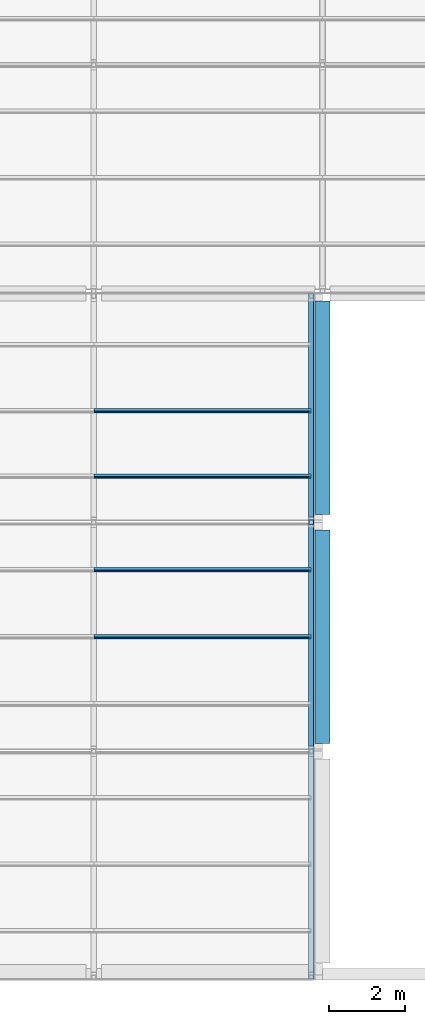
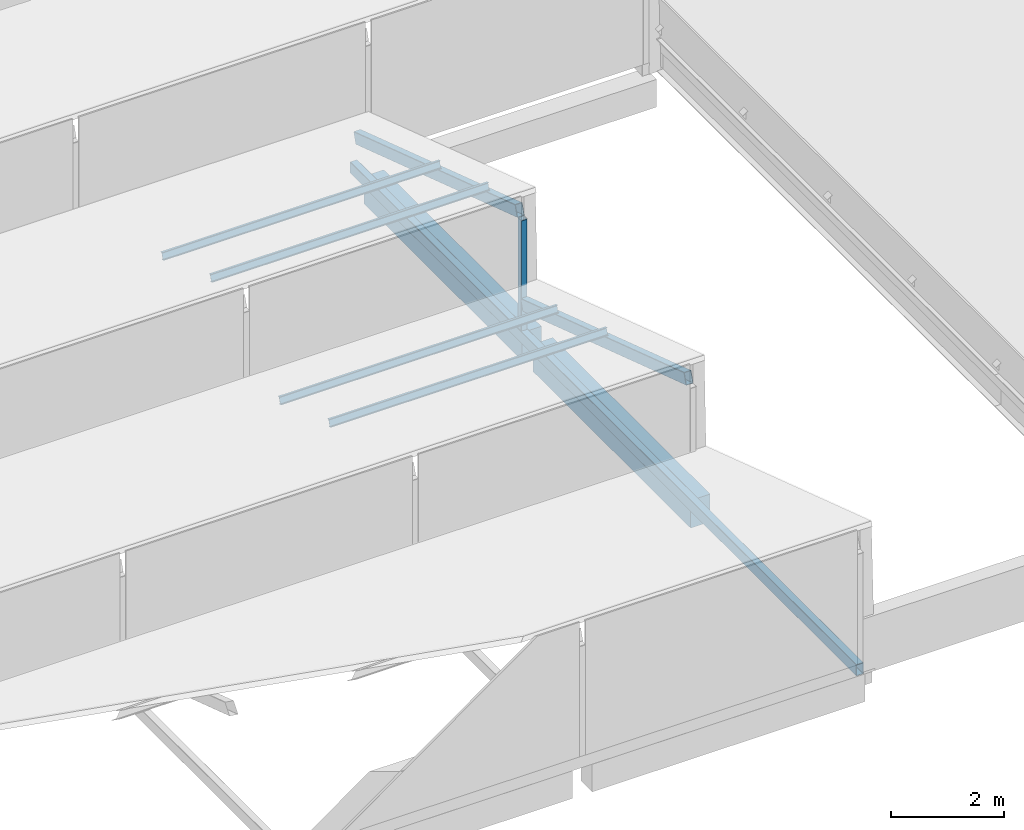
# One storey, part 9 of 118: 8 members, 2 beams.
"""IFC4 building model written with IfcOpenShell, lengths in metres."""

from ifc_helpers import new_model, si_unit, direction, frame, origin, origin_2d, place, context, subcontext, project, spatial, rectangle, hollow_rectangle, i_section, extrude, material, material_profile, profile_set, type_object, element, save


model = new_model("IFC4")

# Units and contexts
model_context = context("Model", 3, precision=1e-05, world=origin(), true_north=direction((0.0, 1.0)))
body_context = subcontext(model_context, "Body", "Model", "MODEL_VIEW")
ifc_project = project(units=[si_unit("LENGTHUNIT", "METRE"), si_unit("AREAUNIT", "SQUARE_METRE"), si_unit("VOLUMEUNIT", "CUBIC_METRE"), si_unit("PLANEANGLEUNIT", "RADIAN"), si_unit("MASSUNIT", "GRAM", prefix="KILO")], contexts=[model_context])

# Site, building, storey
site_placement = place(None, origin())
site = spatial("IfcSite", under=ifc_project, at=site_placement, CompositionType="ELEMENT")
building_placement = place(site_placement, origin())
building = spatial("IfcBuilding", under=site, at=building_placement, Name="Saffron Lane Theatres", CompositionType="ELEMENT")
storey_placement = place(building_placement, frame((0.0, 0.0, 16.5)))
storey = spatial("IfcBuildingStorey", under=building, at=storey_placement, Name="L03", CompositionType="ELEMENT", Elevation=16.5)

# Beams
ifc_material_1 = material(Name="Concrete N40 (40 MPa)", Category="concrete")
ifc_material_profile_1 = material_profile(ifc_material_1, rectangle(XDim=0.39990234375, YDim=0.60009765625, at=origin_2d()))
ifc_profile_set_1 = profile_set([ifc_material_profile_1], Name="Concrete N40 (40 MPa)")
beam_type = type_object("IfcBeamType", Name="RC-BEAM 400x600", PredefinedType="BEAM", material=ifc_profile_set_1)
for number, where, z_axis, x_axis, name in (
    (1, (30.0, 6.199951171875, -0.300048828125), (0.0, 1.0, 0.0), (-1.0, 0.0, 0.0), "beam-eaves-y300-362"),
    (2, (30.0, 12.199951171875, -0.300048828125), (0.0, 1.0, 0.0), (-1.0, 0.0, 0.0), "beam-eaves-y300-422"),
):
    element("IfcBeam", number, at=place(storey_placement, frame(where, z_axis=z_axis, x_axis=x_axis)), inside=storey, type_object=beam_type, Name=name, PredefinedType="BEAM", context=body_context, shape_type="SweptSolid", body=[
        extrude(rectangle(XDim=0.39990234375, YDim=0.60009765625, at=origin_2d()), origin(), (0.0, 0.0, 1.0), 5.60009765625),
    ])

# Members
ifc_material_2 = material(Name="Steel Grade 350", Category="steel")
ifc_material_profile_2 = material_profile(ifc_material_2, hollow_rectangle(XDim=0.125, YDim=0.125, WallThickness=0.006103515625, InnerFilletRadius=0.0029296875, OuterFilletRadius=0.009033203125, at=origin_2d()))
ifc_profile_set_2 = profile_set([ifc_material_profile_2], Name="Steel Grade 350")
member_type_1 = type_object("IfcMemberType", Name="ST-STUDIO POST 125x125x6 SHS", PredefinedType="POST", material=ifc_profile_set_2)
member_1_placement = place(storey_placement, frame((29.699951171875, 12.0, 0.25), z_axis=(0.0, 0.0, 1.0), x_axis=(1.0, 0.0, 0.0)))
element("IfcMember", 3, at=member_1_placement, inside=storey, type_object=member_type_1, Name="GBP38", PredefinedType="POST", context=body_context, shape_type="SweptSolid", body=[
    extrude(hollow_rectangle(XDim=0.125, YDim=0.125, WallThickness=0.006103515625, InnerFilletRadius=0.0029296875, OuterFilletRadius=0.009033203125, at=origin_2d()), origin(), (0.0, 0.0, 1.0), 2.388671875),
])
ifc_material_3 = material(Name="Steel Grade 350", Category="steel")
ifc_material_profile_3 = material_profile(ifc_material_3, i_section(OverallWidth=0.074951171875, OverallDepth=0.155029296875, WebThickness=0.006103515625, FlangeThickness=0.009521484375, FilletRadius=0.008056640625, at=origin_2d()))
ifc_profile_set_3 = profile_set([ifc_material_profile_3], Name="Steel Grade 350")
member_type_2 = type_object("IfcMemberType", Name="ST-STUDIO PURLIN 150UB18.0", PredefinedType="PURLIN", material=ifc_profile_set_3)
for number, where, z_axis, x_axis, name in (
    (4, (24.0, 9.0, 2.01416015625), (1.0, 0.0, 0.0), (0.0, 0.949628648787, -0.313377455162), "GBU60"),
    (5, (24.0, 10.762451171875, 1.4326171875), (1.0, 0.0, 0.0), (0.0, 0.949628648787, -0.313377455162), "GBU64"),
    (6, (24.0, 13.2099609375, 2.60498046875), (1.0, 0.0, 0.0), (0.0, 0.949628648787, -0.313377455162), "GBU68"),
    (7, (24.0, 14.93115234375, 2.036865234375), (1.0, 0.0, 0.0), (0.0, 0.949628648787, -0.313377455162), "GBU72"),
):
    element("IfcMember", number, at=place(storey_placement, frame(where, z_axis=z_axis, x_axis=x_axis)), inside=storey, type_object=member_type_2, Name=name, PredefinedType="PURLIN", context=body_context, shape_type="SweptSolid", body=[
        extrude(i_section(OverallWidth=0.074951171875, OverallDepth=0.155029296875, WebThickness=0.006103515625, FlangeThickness=0.009521484375, FilletRadius=0.008056640625, at=origin_2d()), origin(), (0.0, 0.0, 1.0), 5.699951171875),
    ])
ifc_material_4 = material(Name="Steel Grade 350", Category="steel")
ifc_material_profile_4 = material_profile(ifc_material_4, hollow_rectangle(XDim=0.14990234375, YDim=0.25, WallThickness=0.009033203125, InnerFilletRadius=0.00439453125, OuterFilletRadius=0.013427734375, at=origin_2d()))
ifc_profile_set_4 = profile_set([ifc_material_profile_4], Name="Steel Grade 350")
member_type_3 = type_object("IfcMemberType", Name="ST-STUDIO TRUSS CHORD 250x150x9 RHS", PredefinedType="CHORD", material=ifc_profile_set_4)
member_2_placement = place(storey_placement, frame((29.699951171875, 0.02001953125, 0.125), z_axis=(0.0, 1.0, 0.0), x_axis=(-1.0, 0.0, 0.0)))
element("IfcMember", 8, at=member_2_placement, inside=storey, type_object=member_type_3, Name="GBT33", PredefinedType="CHORD", context=body_context, shape_type="SweptSolid", body=[
    extrude(hollow_rectangle(XDim=0.14990234375, YDim=0.25, WallThickness=0.009033203125, InnerFilletRadius=0.00439453125, OuterFilletRadius=0.013427734375, at=origin_2d()), origin(), (0.0, 0.0, 1.0), 17.97998046875),
])
member_3_placement = place(storey_placement, frame((29.699951171875, 6.1015625, 2.757568359375), z_axis=(0.0, 0.949622935999, -0.313394766109), x_axis=(-1.0, 0.0, 0.0)))
element("IfcMember", 9, at=member_3_placement, inside=storey, type_object=member_type_3, Name="GBC37", PredefinedType="CHORD", context=body_context, shape_type="SweptSolid", body=[
    extrude(hollow_rectangle(XDim=0.14990234375, YDim=0.25, WallThickness=0.009033203125, InnerFilletRadius=0.00439453125, OuterFilletRadius=0.013427734375, at=origin_2d()), origin(), (0.0, 0.0, 1.0), 6.1044921875),
])
member_4_placement = place(storey_placement, frame((29.699951171875, 12.1015625, 2.757568359375), z_axis=(0.0, 0.949629130372, -0.313375995807), x_axis=(-1.0, 0.0, 0.0)))
element("IfcMember", 10, at=member_4_placement, inside=storey, type_object=member_type_3, Name="GBC40", PredefinedType="CHORD", context=body_context, shape_type="SweptSolid", body=[
    extrude(hollow_rectangle(XDim=0.14990234375, YDim=0.25, WallThickness=0.009033203125, InnerFilletRadius=0.00439453125, OuterFilletRadius=0.013427734375, at=origin_2d()), origin(), (0.0, 0.0, 1.0), 6.03857421875),
])

save(model, "model.ifc")
